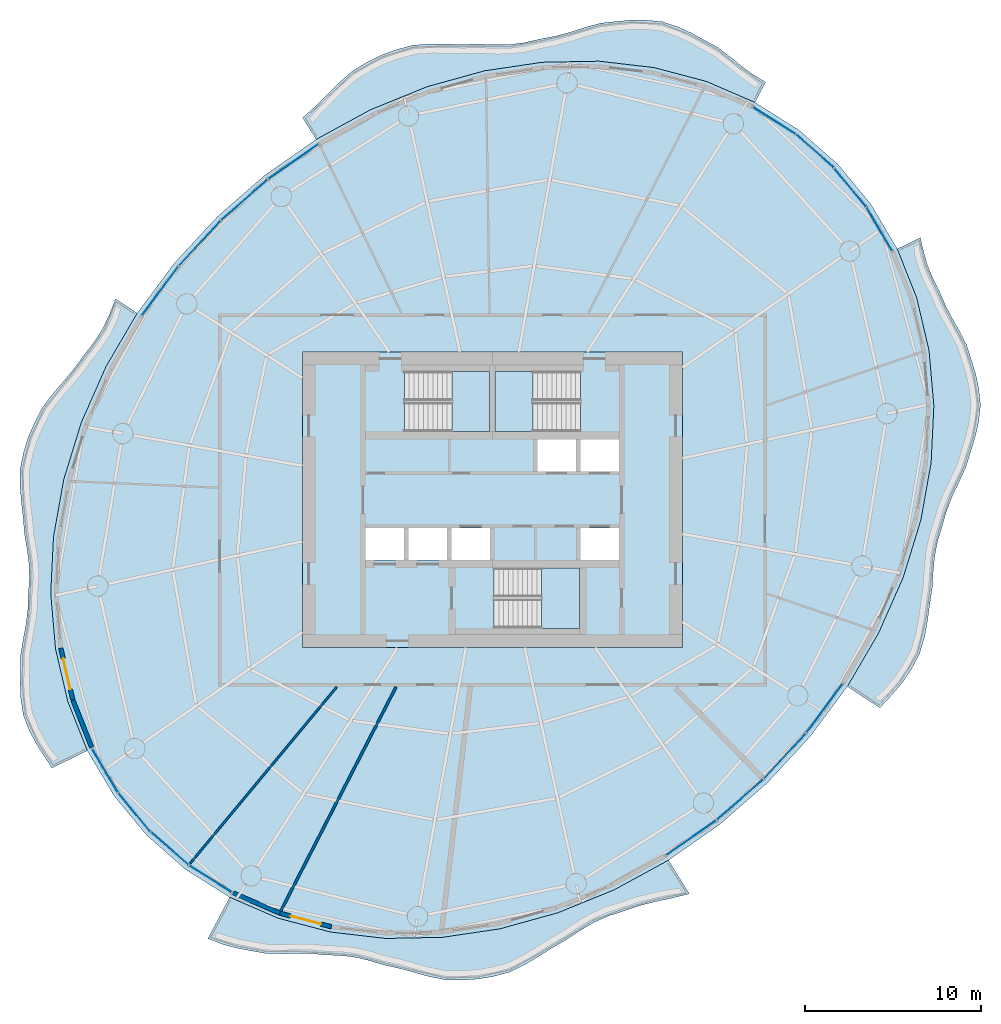
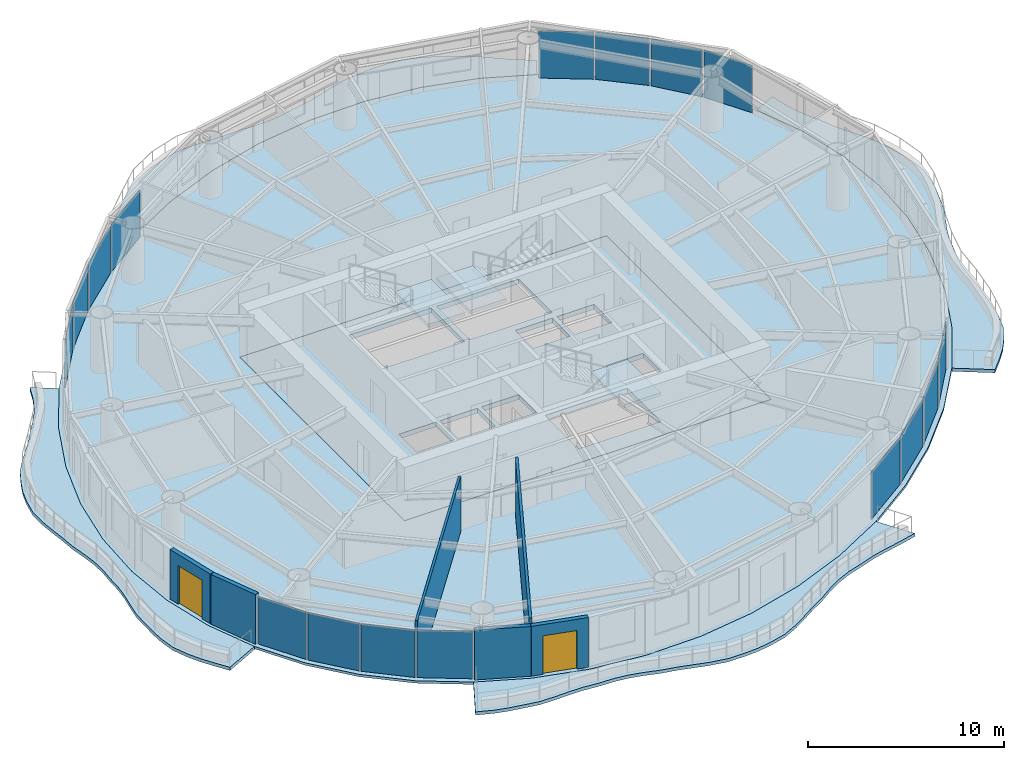
# One storey, part 7 of 14: 16 plates, 9 slabs, 6 walls, 2 doors, 2 openings, 19 elements without a shape of their own.
"""IFC4 building model written with IfcOpenShell, lengths in metres."""

from ifc_helpers import new_model, si_unit, direction, frame, frame_2d, origin, origin_2d, place, context, subcontext, project, spatial, polyline, rectangle, outline, extrude, material, layer, layer_set, type_object, element, fill, aggregate, save


model = new_model("IFC4")

# Units and contexts
model_context = context("Model", 3, precision=1e-05, world=origin(), true_north=direction((0.0, 1.0)))
body_context = subcontext(model_context, "Body", "Model", "MODEL_VIEW")
ifc_project = project(units=[si_unit("LENGTHUNIT", "METRE"), si_unit("AREAUNIT", "SQUARE_METRE"), si_unit("VOLUMEUNIT", "CUBIC_METRE"), si_unit("PLANEANGLEUNIT", "RADIAN"), si_unit("MASSUNIT", "GRAM", prefix="KILO")], contexts=[model_context])

# Site, building, storey
site_placement = place(None, origin())
site = spatial("IfcSite", under=ifc_project, at=site_placement, CompositionType="ELEMENT")
building_placement = place(site_placement, origin())
building = spatial("IfcBuilding", under=site, at=building_placement, Name="Vermilion Reach Broadcast Tower", CompositionType="ELEMENT")
storey_placement = place(building_placement, frame((0.0, 0.0, 210.10009765625)))
storey = spatial("IfcBuildingStorey", under=building, at=storey_placement, Name="L51", CompositionType="ELEMENT", Elevation=210.10009765625)

# Slabs
ifc_material_1 = material(Name="Concrete C40/50", Category="concrete")
ifc_layer_1 = layer(ifc_material_1, 0.199951171875)
ifc_layer_set_1 = layer_set([ifc_layer_1], Name="Balcony slab 200")
slab_type_1 = type_object("IfcSlabType", Name="Balcony slab 200", PredefinedType="FLOOR", material=ifc_layer_set_1)
placement_1 = place(storey_placement, frame((0.0, 0.0, -0.2001953125)))
element("IfcSlab", 1, at=placement_1, inside=storey, type_object=slab_type_1, Name="Balcony slab L51 group 1", PredefinedType="FLOOR", context=body_context, shape_type="SweptSolid", body=[
    extrude(outline(polyline([(8.925048828125, 22.5869140625), (6.16357421875, 23.7783203125), (3.19384765625, 24.56298828125), (0.06689453125, 24.927490234375), (-3.163818359375, 24.865234375), (-6.443115234375, 24.377685546875), (-9.71484375, 23.472900390625), (-12.9228515625, 22.16650390625), (-16.0126953125, 20.48095703125), (-16.7783203125, 21.718017578125), (-16.04150390625, 22.371337890625), (-15.394287109375, 23.021728515625), (-14.747802734375, 23.67431640625), (-13.964111328125, 24.36083984375), (-13.09423828125, 24.883544921875), (-12.317626953125, 25.2724609375), (-11.503662109375, 25.570068359375), (-10.519287109375, 25.83544921875), (-9.50830078125, 25.910400390625), (-8.62548828125, 25.901611328125), (-7.73876953125, 25.879638671875), (-6.76611328125, 25.9033203125), (-5.82568359375, 25.86181640625), (-4.990478515625, 25.87939453125), (-4.16796875, 25.98388671875), (-3.274658203125, 26.18994140625), (-2.384521484375, 26.35546875), (-1.580810546875, 26.57763671875), (-0.777587890625, 26.832763671875), (0.171875, 27.09423828125), (1.123779296875, 27.19677734375), (1.92431640625, 27.2666015625), (2.716796875, 27.26806640625), (3.6875, 27.1689453125), (4.595458984375, 26.86181640625), (5.303466796875, 26.53515625), (5.997314453125, 26.155029296875), (6.8291015625, 25.70361328125), (7.568115234375, 25.135986328125), (8.17431640625, 24.642822265625), (8.795654296875, 24.184814453125), (9.531982421875, 23.739501953125), (8.925048828125, 22.5869140625)])), origin(), (0.0, 0.0, 1.0), 0.2001953125),
])
element("IfcSlab", 2, at=placement_1, inside=storey, type_object=slab_type_1, Name="Balcony slab L51 group 2", PredefinedType="FLOOR", context=body_context, shape_type="SweptSolid", body=[
    extrude(outline(polyline([(-26.178466796875, 10.608642578125), (-27.9541015625, 7.56982421875), (-29.353759765625, 4.4013671875), (-30.35400390625, 1.157470703125), (-30.937744140625, -2.10595703125), (-31.094482421875, -5.33349609375), (-30.822021484375, -8.469970703125), (-30.124755859375, -11.461181640625), (-29.014892578125, -14.256591796875), (-31.02880859375, -15.24267578125), (-31.54736328125, -14.453125), (-31.954833984375, -13.805908203125), (-32.30126953125, -13.134521484375), (-32.65185546875, -12.252685546875), (-32.79736328125, -11.295654296875), (-32.83154296875, -10.51513671875), (-32.814697265625, -9.72265625), (-32.80029296875, -8.78466796875), (-32.6435546875, -7.838134765625), (-32.496826171875, -7.035400390625), (-32.397216796875, -6.23681640625), (-32.371826171875, -5.35791015625), (-32.306396484375, -4.4658203125), (-32.3310546875, -3.656005859375), (-32.433349609375, -2.842041015625), (-32.5908203125, -1.9189453125), (-32.66650390625, -0.954833984375), (-32.766845703125, -0.094970703125), (-32.841064453125, 0.76025390625), (-32.83349609375, 1.759033203125), (-32.62548828125, 2.74609375), (-32.374267578125, 3.556640625), (-32.0341796875, 4.33984375), (-31.576171875, 5.231689453125), (-30.953857421875, 6.054931640625), (-30.364013671875, 6.740966796875), (-29.78466796875, 7.431884765625), (-29.215576171875, 8.21435546875), (-28.619384765625, 8.9775390625), (-28.14697265625, 9.720703125), (-27.762451171875, 10.514892578125), (-27.416015625, 11.42578125), (-26.178466796875, 10.608642578125)])), origin(), (0.0, 0.0, 1.0), 0.2001953125),
])
element("IfcSlab", 3, at=placement_1, inside=storey, type_object=slab_type_1, Name="Balcony slab L51 group 3", PredefinedType="FLOOR", context=body_context, shape_type="SweptSolid", body=[
    extrude(outline(polyline([(-20.925048828125, -22.5869140625), (-18.16357421875, -23.7783203125), (-15.19384765625, -24.56298828125), (-12.06689453125, -24.927490234375), (-8.836181640625, -24.865234375), (-5.556884765625, -24.377685546875), (-2.28515625, -23.472900390625), (0.9228515625, -22.16650390625), (4.0126953125, -20.48095703125), (5.1943359375, -22.39013671875), (4.189697265625, -22.642578125), (3.29052734375, -22.83203125), (2.40771484375, -23.051025390625), (1.49169921875, -23.364990234375), (0.59326171875, -23.6533203125), (-0.19873046875, -24.004638671875), (-0.955078125, -24.443359375), (-1.768798828125, -24.9892578125), (-2.612060546875, -25.474609375), (-3.361328125, -25.94921875), (-4.1162109375, -26.404052734375), (-5.033447265625, -26.849365234375), (-5.990234375, -27.0986328125), (-6.807373046875, -27.238525390625), (-7.637939453125, -27.289306640625), (-8.634033203125, -27.282958984375), (-9.601318359375, -27.093994140625), (-10.41357421875, -26.869384765625), (-11.22607421875, -26.64208984375), (-12.140380859375, -26.443603515625), (-13.005615234375, -26.1826171875), (-13.77685546875, -26.00244140625), (-14.5576171875, -25.901611328125), (-15.44140625, -25.870361328125), (-16.31103515625, -25.78515625), (-17.102783203125, -25.77587890625), (-17.90283203125, -25.798095703125), (-18.857666015625, -25.786376953125), (-19.7763671875, -25.61865234375), (-20.533935546875, -25.4765625), (-21.268310546875, -25.280517578125), (-22.163330078125, -24.938720703125), (-20.925048828125, -22.5869140625)])), origin(), (0.0, 0.0, 1.0), 0.2001953125),
])
element("IfcSlab", 4, at=placement_1, inside=storey, type_object=slab_type_1, Name="Balcony slab L51 group 4", PredefinedType="FLOOR", context=body_context, shape_type="SweptSolid", body=[
    extrude(outline(polyline([(14.178466796875, -10.608642578125), (15.9541015625, -7.56982421875), (17.353759765625, -4.4013671875), (18.35400390625, -1.157470703125), (18.937744140625, 2.10595703125), (19.094482421875, 5.33349609375), (18.822021484375, 8.469970703125), (18.124755859375, 11.461181640625), (17.014892578125, 14.256591796875), (18.327880859375, 14.8994140625), (18.5224609375, 14.046142578125), (18.7373046875, 13.322509765625), (19.021240234375, 12.626220703125), (19.41015625, 11.86376953125), (19.751708984375, 11.052001953125), (20.120361328125, 10.349365234375), (20.516845703125, 9.6533203125), (20.95166015625, 8.808837890625), (21.246337890625, 7.890625), (21.479248046875, 7.120849609375), (21.644775390625, 6.34521484375), (21.7470703125, 5.384033203125), (21.633544921875, 4.4013671875), (21.451416015625, 3.6015625), (21.209228515625, 2.804443359375), (20.92578125, 1.880859375), (20.51123046875, 0.982666015625), (20.14501953125, 0.206298828125), (19.8330078125, -0.580078125), (19.58349609375, -1.455810546875), (19.309326171875, -2.340087890625), (19.14697265625, -3.17822265625), (19.06201171875, -4.0400390625), (19.001708984375, -5.01708984375), (18.849609375, -6.0087890625), (18.73046875, -6.903076171875), (18.56982421875, -7.77880859375), (18.28173828125, -8.75927734375), (17.797607421875, -9.666015625), (17.300048828125, -10.394287109375), (16.72216796875, -11.07568359375), (16.022705078125, -11.826416015625), (14.178466796875, -10.608642578125)])), origin(), (0.0, 0.0, 1.0), 0.2001953125),
])
ifc_material_2 = material(Name="Concrete C40", Category="concrete")
ifc_layer_2 = layer(ifc_material_2, 0.300048828125)
ifc_layer_set_2 = layer_set([ifc_layer_2], Name="Core floor slab 300 mm Concrete C40")
slab_type_2 = type_object("IfcSlabType", Name="Core floor slab 300 mm Concrete C40", PredefinedType="FLOOR", material=ifc_layer_set_2)
slab_5_placement = place(storey_placement, frame((0.0, 0.0, -0.300048828125)))
element("IfcSlab", 5, at=slab_5_placement, inside=storey, type_object=slab_type_2, Name="L51 core floor", PredefinedType="FLOOR", context=body_context, shape_type="SweptSolid", body=[
    extrude(outline(polyline([(-16.800048828125, -8.39990234375), (4.800048828125, -8.39990234375), (4.800048828125, 8.39990234375), (-16.800048828125, 8.39990234375), (-16.800048828125, -8.39990234375)]), holes=[polyline([(-3.433349609375, 1.60009765625), (-1.24169921875, 1.60009765625), (-1.24169921875, 3.429931640625), (-3.433349609375, 3.429931640625), (-3.433349609375, 1.60009765625)]), polyline([(-0.99169921875, 1.60009765625), (1.199951171875, 1.60009765625), (1.199951171875, 3.429931640625), (-0.99169921875, 3.429931640625), (-0.99169921875, 1.60009765625)]), polyline([(-13.199951171875, -3.429931640625), (-11.00830078125, -3.429931640625), (-11.00830078125, -1.60009765625), (-13.199951171875, -1.60009765625), (-13.199951171875, -3.429931640625)]), polyline([(-10.75830078125, -3.429931640625), (-8.566650390625, -3.429931640625), (-8.566650390625, -1.60009765625), (-10.75830078125, -1.60009765625), (-10.75830078125, -3.429931640625)]), polyline([(-8.316650390625, -3.429931640625), (-6.125, -3.429931640625), (-6.125, -1.60009765625), (-8.316650390625, -1.60009765625), (-8.316650390625, -3.429931640625)]), polyline([(-0.99169921875, -3.429931640625), (1.199951171875, -3.429931640625), (1.199951171875, -1.60009765625), (-0.99169921875, -1.60009765625), (-0.99169921875, -3.429931640625)]), polyline([(-10.999267578125, 3.8798828125), (-6.14990234375, 3.8798828125), (-6.14990234375, 7.300048828125), (-10.999267578125, 7.300048828125), (-10.999267578125, 3.8798828125)]), polyline([(-1.000732421875, 7.300048828125), (-5.85009765625, 7.300048828125), (-5.85009765625, 3.8798828125), (-1.000732421875, 3.8798828125), (-1.000732421875, 7.300048828125)]), polyline([(-5.8994140625, -7.300048828125), (-1.050048828125, -7.300048828125), (-1.050048828125, -3.8798828125), (-5.8994140625, -3.8798828125), (-5.8994140625, -7.300048828125)])]), origin(), (0.0, 0.0, 1.0), 0.300048828125),
])

# Stair, slab
ifc_material_3 = material(Name="Concrete C40", Category="concrete")
stair_type = type_object("IfcStairType", Name="Exit stair RC 22 risers 164 mm", PredefinedType="HALF_TURN_STAIR", material=ifc_material_3)
placement_2 = place(storey_placement, origin())
stair_1 = element("IfcStair", 6, at=placement_2, inside=storey, type_object=stair_type, Name="L51 Exit stair ST1", PredefinedType="HALF_TURN_STAIR")
ifc_material_4 = material(Name="Concrete C40", Category="concrete")
ifc_layer_3 = layer(ifc_material_4, 0.199951171875)
ifc_layer_set_3 = layer_set([ifc_layer_3], Name="Exit stair landing Concrete C40")
slab_type_3 = type_object("IfcSlabType", Name="Exit stair landing Concrete C40", PredefinedType="LANDING", material=ifc_layer_set_3)
placement_3 = place(storey_placement, frame((0.0, 0.0, 1.599853515625)))
slab_6 = element("IfcSlab", 7, at=placement_3, type_object=slab_type_3, Name="ST1 landing 1", PredefinedType="LANDING", context=body_context, shape_type="SweptSolid", body=[
    extrude(outline(polyline([(-8.300048828125, 3.8798828125), (-6.14990234375, 3.8798828125), (-6.14990234375, 7.300048828125), (-8.300048828125, 7.300048828125), (-8.300048828125, 3.8798828125)])), origin(), (0.0, 0.0, 1.0), 0.199951171875),
])
aggregate(stair_1, [slab_6])

stair_2 = element("IfcStair", 8, at=placement_2, inside=storey, type_object=stair_type, Name="L51 Exit stair ST2", PredefinedType="HALF_TURN_STAIR")
slab_7 = element("IfcSlab", 9, at=placement_3, type_object=slab_type_3, Name="ST2 landing 1", PredefinedType="LANDING", context=body_context, shape_type="SweptSolid", body=[
    extrude(outline(polyline([(-3.699951171875, 7.300048828125), (-5.85009765625, 7.300048828125), (-5.85009765625, 3.8798828125), (-3.699951171875, 3.8798828125), (-3.699951171875, 7.300048828125)])), origin(), (0.0, 0.0, 1.0), 0.199951171875),
])
aggregate(stair_2, [slab_7])

stair_3 = element("IfcStair", 10, at=placement_2, inside=storey, type_object=stair_type, Name="L51 Exit stair ST3", PredefinedType="HALF_TURN_STAIR")
slab_8 = element("IfcSlab", 11, at=placement_3, type_object=slab_type_3, Name="ST3 landing 1", PredefinedType="LANDING", context=body_context, shape_type="SweptSolid", body=[
    extrude(outline(polyline([(-3.199951171875, -7.300048828125), (-1.050048828125, -7.300048828125), (-1.050048828125, -3.8798828125), (-3.199951171875, -3.8798828125), (-3.199951171875, -7.300048828125)])), origin(), (0.0, 0.0, 1.0), 0.199951171875),
])
aggregate(stair_3, [slab_8])

# Slab
ifc_material_5 = material(Name="Concrete C40", Category="concrete")
ifc_layer_4 = layer(ifc_material_5, 0.14990234375)
ifc_layer_set_4 = layer_set([ifc_layer_4], Name="Floor slab Concrete C40 composite 150")
slab_type_4 = type_object("IfcSlabType", Name="Floor slab Concrete C40 composite 150", PredefinedType="FLOOR", material=ifc_layer_set_4)
slab_9_placement = place(storey_placement, frame((0.0, 0.0, -0.150146484375)))
element("IfcSlab", 12, at=slab_9_placement, inside=storey, type_object=slab_type_4, Name="Floor slab L51", PredefinedType="FLOOR", context=body_context, shape_type="SweptSolid", body=[
    extrude(outline(polyline([(13.63916015625, 19.071533203125), (11.43115234375, 21.009033203125), (8.925048828125, 22.5869140625), (6.16357421875, 23.7783203125), (3.19384765625, 24.56298828125), (0.06689453125, 24.927490234375), (-3.163818359375, 24.865234375), (-6.443115234375, 24.377685546875), (-9.71484375, 23.472900390625), (-12.9228515625, 22.16650390625), (-16.0126953125, 20.48095703125), (-18.930908203125, 18.44482421875), (-21.628173828125, 16.09326171875), (-24.057861328125, 13.466064453125), (-26.178466796875, 10.608642578125), (-27.9541015625, 7.56982421875), (-29.353759765625, 4.4013671875), (-30.35400390625, 1.157470703125), (-30.937744140625, -2.10595703125), (-31.094482421875, -5.33349609375), (-30.822021484375, -8.469970703125), (-30.124755859375, -11.461181640625), (-29.014892578125, -14.256591796875), (-27.510986328125, -16.807861328125), (-25.63916015625, -19.071533203125), (-23.43115234375, -21.009033203125), (-20.925048828125, -22.5869140625), (-18.16357421875, -23.7783203125), (-15.19384765625, -24.56298828125), (-12.06689453125, -24.927490234375), (-8.836181640625, -24.865234375), (-5.556884765625, -24.377685546875), (-2.28515625, -23.472900390625), (0.9228515625, -22.16650390625), (4.0126953125, -20.48095703125), (6.930908203125, -18.44482421875), (9.628173828125, -16.09326171875), (12.057861328125, -13.466064453125), (14.178466796875, -10.608642578125), (15.9541015625, -7.56982421875), (17.353759765625, -4.4013671875), (18.35400390625, -1.157470703125), (18.937744140625, 2.10595703125), (19.094482421875, 5.33349609375), (18.822021484375, 8.469970703125), (18.124755859375, 11.461181640625), (17.014892578125, 14.256591796875), (15.510986328125, 16.807861328125), (13.63916015625, 19.071533203125)]), holes=[polyline([(-16.800048828125, -8.39990234375), (4.800048828125, -8.39990234375), (4.800048828125, 8.39990234375), (-16.800048828125, 8.39990234375), (-16.800048828125, -8.39990234375)])]), origin(), (0.0, 0.0, 1.0), 0.150146484375),
])

# Curtain wall, plate
ifc_material_6 = material(Name="Low-e laminated clear glass in aluminium frame", Category="aluminium")
curtain_wall_type = type_object("IfcCurtainWallType", Name="Slot curtain wall", PredefinedType="NOTDEFINED", material=ifc_material_6)
curtain_wall_1 = element("IfcCurtainWall", 13, at=placement_2, inside=storey, type_object=curtain_wall_type, Name="Slot curtain wall L51 46", PredefinedType="NOTDEFINED")
ifc_material_7 = material(Name="Low-e laminated clear glass", Category="glass")
ifc_layer_5 = layer(ifc_material_7, 0.028076171875)
ifc_layer_set_5 = layer_set([ifc_layer_5], Name="Slot glass panel")
plate_type = type_object("IfcPlateType", Name="Slot glass panel", PredefinedType="CURTAIN_PANEL", material=ifc_layer_set_5)
plate_1_placement = place(storey_placement, frame((16.00537109375, 15.380126953125, 0.0), z_axis=(0.0, 0.0, 1.0), x_axis=(-0.507770998293, 0.86149208545, 0.0)))
plate_1 = element("IfcPlate", 14, at=plate_1_placement, type_object=plate_type, Name="Slot glass panel L51 46", PredefinedType="CURTAIN_PANEL", context=body_context, shape_type="SweptSolid", body=[
    extrude(rectangle(XDim=2.83447265625, YDim=0.028076171875, at=origin_2d()), origin(), (0.0, 0.0, 1.0), 2.949951171875),
])
aggregate(curtain_wall_1, [plate_1])

curtain_wall_2 = element("IfcCurtainWall", 15, at=placement_2, inside=storey, type_object=curtain_wall_type, Name="Slot curtain wall L51 47", PredefinedType="NOTDEFINED")
plate_2_placement = place(storey_placement, frame((14.3447265625, 17.7490234375, 0.0), z_axis=(0.0, 0.0, 1.0), x_axis=(-0.63724572814, 0.770660678877, 0.0)))
plate_2 = element("IfcPlate", 16, at=plate_2_placement, type_object=plate_type, Name="Slot glass panel L51 47", PredefinedType="CURTAIN_PANEL", context=body_context, shape_type="SweptSolid", body=[
    extrude(rectangle(XDim=2.8095703125, YDim=0.028076171875, at=origin_2d()), origin(), (0.0, 0.0, 1.0), 2.949951171875),
])
aggregate(curtain_wall_2, [plate_2])

curtain_wall_3 = element("IfcCurtainWall", 17, at=placement_2, inside=storey, type_object=curtain_wall_type, Name="Slot curtain wall L51 00", PredefinedType="NOTDEFINED")
plate_3_placement = place(storey_placement, frame((12.337890625, 19.8154296875, 0.0), z_axis=(0.0, 0.0, 1.0), x_axis=(-0.75164704321, 0.659565555827, 0.0)))
plate_3 = element("IfcPlate", 18, at=plate_3_placement, type_object=plate_type, Name="Slot glass panel L51 00", PredefinedType="CURTAIN_PANEL", context=body_context, shape_type="SweptSolid", body=[
    extrude(rectangle(XDim=2.8095703125, YDim=0.028076171875, at=origin_2d()), origin(), (0.0, 0.0, 1.0), 2.949951171875),
])
aggregate(curtain_wall_3, [plate_3])

curtain_wall_4 = element("IfcCurtainWall", 19, at=placement_2, inside=storey, type_object=curtain_wall_type, Name="Slot curtain wall L51 01", PredefinedType="NOTDEFINED")
plate_4_placement = place(storey_placement, frame((10.018798828125, 21.544921875, 0.0), z_axis=(0.0, 0.0, 1.0), x_axis=(-0.846235361121, 0.532809265674, 0.0)))
plate_4 = element("IfcPlate", 20, at=plate_4_placement, type_object=plate_type, Name="Slot glass panel L51 01", PredefinedType="CURTAIN_PANEL", context=body_context, shape_type="SweptSolid", body=[
    extrude(rectangle(XDim=2.83447265625, YDim=0.028076171875, at=origin_2d()), origin(), (0.0, 0.0, 1.0), 2.949951171875),
])
aggregate(curtain_wall_4, [plate_4])

curtain_wall_5 = element("IfcCurtainWall", 21, at=placement_2, inside=storey, type_object=curtain_wall_type, Name="Slot curtain wall L51 10", PredefinedType="NOTDEFINED")
plate_5_placement = place(storey_placement, frame((-17.300537109375, 19.217041015625, 0.0), z_axis=(0.0, 0.0, 1.0), x_axis=(-0.820127266916, -0.572181147942, 0.0)))
plate_5 = element("IfcPlate", 22, at=plate_5_placement, type_object=plate_type, Name="Slot glass panel L51 10", PredefinedType="CURTAIN_PANEL", context=body_context, shape_type="SweptSolid", body=[
    extrude(rectangle(XDim=3.44580078125, YDim=0.028076171875, at=origin_2d()), origin(), (0.0, 0.0, 1.0), 2.949951171875),
])
aggregate(curtain_wall_5, [plate_5])

curtain_wall_6 = element("IfcCurtainWall", 23, at=placement_2, inside=storey, type_object=curtain_wall_type, Name="Slot curtain wall L51 11", PredefinedType="NOTDEFINED")
plate_6_placement = place(storey_placement, frame((-20.082763671875, 17.043212890625, 0.0), z_axis=(0.0, 0.0, 1.0), x_axis=(-0.753727697022, -0.657186852228, 0.0)))
plate_6 = element("IfcPlate", 24, at=plate_6_placement, type_object=plate_type, Name="Slot glass panel L51 11", PredefinedType="CURTAIN_PANEL", context=body_context, shape_type="SweptSolid", body=[
    extrude(rectangle(XDim=3.466064453125, YDim=0.028076171875, at=origin_2d()), origin(), (0.0, 0.0, 1.0), 2.949951171875),
])
aggregate(curtain_wall_6, [plate_6])

curtain_wall_7 = element("IfcCurtainWall", 25, at=placement_2, inside=storey, type_object=curtain_wall_type, Name="Slot curtain wall L51 12", PredefinedType="NOTDEFINED")
plate_7_placement = place(storey_placement, frame((-22.623046875, 14.576171875, 0.0), z_axis=(0.0, 0.0, 1.0), x_axis=(-0.679001686214, -0.734136710782, 0.0)))
plate_7 = element("IfcPlate", 26, at=plate_7_placement, type_object=plate_type, Name="Slot glass panel L51 12", PredefinedType="CURTAIN_PANEL", context=body_context, shape_type="SweptSolid", body=[
    extrude(rectangle(XDim=3.466064453125, YDim=0.028076171875, at=origin_2d()), origin(), (0.0, 0.0, 1.0), 2.949951171875),
])
aggregate(curtain_wall_7, [plate_7])

curtain_wall_8 = element("IfcCurtainWall", 27, at=placement_2, inside=storey, type_object=curtain_wall_type, Name="Slot curtain wall L51 13", PredefinedType="NOTDEFINED")
plate_8_placement = place(storey_placement, frame((-24.877685546875, 11.85888671875, 0.0), z_axis=(0.0, 0.0, 1.0), x_axis=(-0.595979023603, -0.803000002133, 0.0)))
plate_8 = element("IfcPlate", 28, at=plate_8_placement, type_object=plate_type, Name="Slot glass panel L51 13", PredefinedType="CURTAIN_PANEL", context=body_context, shape_type="SweptSolid", body=[
    extrude(rectangle(XDim=3.44580078125, YDim=0.028076171875, at=origin_2d()), origin(), (0.0, 0.0, 1.0), 2.949951171875),
])
aggregate(curtain_wall_8, [plate_8])

curtain_wall_9 = element("IfcCurtainWall", 29, at=placement_2, inside=storey, type_object=curtain_wall_type, Name="Slot curtain wall L51 22", PredefinedType="NOTDEFINED")
plate_9_placement = place(storey_placement, frame((-28.00537109375, -15.380126953125, 0.0), z_axis=(0.0, 0.0, 1.0), x_axis=(0.507770998293, -0.86149208545, 0.0)))
plate_9 = element("IfcPlate", 30, at=plate_9_placement, type_object=plate_type, Name="Slot glass panel L51 22", PredefinedType="CURTAIN_PANEL", context=body_context, shape_type="SweptSolid", body=[
    extrude(rectangle(XDim=2.83447265625, YDim=0.028076171875, at=origin_2d()), origin(), (0.0, 0.0, 1.0), 2.949951171875),
])
aggregate(curtain_wall_9, [plate_9])

curtain_wall_10 = element("IfcCurtainWall", 31, at=placement_2, inside=storey, type_object=curtain_wall_type, Name="Slot curtain wall L51 23", PredefinedType="NOTDEFINED")
plate_10_placement = place(storey_placement, frame((-26.3447265625, -17.7490234375, 0.0), z_axis=(0.0, 0.0, 1.0), x_axis=(0.63724572814, -0.770660678877, 0.0)))
plate_10 = element("IfcPlate", 32, at=plate_10_placement, type_object=plate_type, Name="Slot glass panel L51 23", PredefinedType="CURTAIN_PANEL", context=body_context, shape_type="SweptSolid", body=[
    extrude(rectangle(XDim=2.8095703125, YDim=0.028076171875, at=origin_2d()), origin(), (0.0, 0.0, 1.0), 2.949951171875),
])
aggregate(curtain_wall_10, [plate_10])

curtain_wall_11 = element("IfcCurtainWall", 33, at=placement_2, inside=storey, type_object=curtain_wall_type, Name="Slot curtain wall L51 24", PredefinedType="NOTDEFINED")
plate_11_placement = place(storey_placement, frame((-24.337890625, -19.8154296875, 0.0), z_axis=(0.0, 0.0, 1.0), x_axis=(0.75164704321, -0.659565555827, 0.0)))
plate_11 = element("IfcPlate", 34, at=plate_11_placement, type_object=plate_type, Name="Slot glass panel L51 24", PredefinedType="CURTAIN_PANEL", context=body_context, shape_type="SweptSolid", body=[
    extrude(rectangle(XDim=2.8095703125, YDim=0.028076171875, at=origin_2d()), origin(), (0.0, 0.0, 1.0), 2.949951171875),
])
aggregate(curtain_wall_11, [plate_11])

curtain_wall_12 = element("IfcCurtainWall", 35, at=placement_2, inside=storey, type_object=curtain_wall_type, Name="Slot curtain wall L51 25", PredefinedType="NOTDEFINED")
plate_12_placement = place(storey_placement, frame((-22.018798828125, -21.544921875, 0.0), z_axis=(0.0, 0.0, 1.0), x_axis=(0.846235361121, -0.532809265674, 0.0)))
plate_12 = element("IfcPlate", 36, at=plate_12_placement, type_object=plate_type, Name="Slot glass panel L51 25", PredefinedType="CURTAIN_PANEL", context=body_context, shape_type="SweptSolid", body=[
    extrude(rectangle(XDim=2.83447265625, YDim=0.028076171875, at=origin_2d()), origin(), (0.0, 0.0, 1.0), 2.949951171875),
])
aggregate(curtain_wall_12, [plate_12])

curtain_wall_13 = element("IfcCurtainWall", 37, at=placement_2, inside=storey, type_object=curtain_wall_type, Name="Slot curtain wall L51 34", PredefinedType="NOTDEFINED")
plate_13_placement = place(storey_placement, frame((5.300537109375, -19.217041015625, 0.0), z_axis=(0.0, 0.0, 1.0), x_axis=(0.820127266916, 0.572181147942, 0.0)))
plate_13 = element("IfcPlate", 38, at=plate_13_placement, type_object=plate_type, Name="Slot glass panel L51 34", PredefinedType="CURTAIN_PANEL", context=body_context, shape_type="SweptSolid", body=[
    extrude(rectangle(XDim=3.44580078125, YDim=0.028076171875, at=origin_2d()), origin(), (0.0, 0.0, 1.0), 2.949951171875),
])
aggregate(curtain_wall_13, [plate_13])

curtain_wall_14 = element("IfcCurtainWall", 39, at=placement_2, inside=storey, type_object=curtain_wall_type, Name="Slot curtain wall L51 35", PredefinedType="NOTDEFINED")
plate_14_placement = place(storey_placement, frame((8.082763671875, -17.043212890625, 0.0), z_axis=(0.0, 0.0, 1.0), x_axis=(0.753727697022, 0.657186852228, 0.0)))
plate_14 = element("IfcPlate", 40, at=plate_14_placement, type_object=plate_type, Name="Slot glass panel L51 35", PredefinedType="CURTAIN_PANEL", context=body_context, shape_type="SweptSolid", body=[
    extrude(rectangle(XDim=3.466064453125, YDim=0.028076171875, at=origin_2d()), origin(), (0.0, 0.0, 1.0), 2.949951171875),
])
aggregate(curtain_wall_14, [plate_14])

curtain_wall_15 = element("IfcCurtainWall", 41, at=placement_2, inside=storey, type_object=curtain_wall_type, Name="Slot curtain wall L51 36", PredefinedType="NOTDEFINED")
plate_15_placement = place(storey_placement, frame((10.623046875, -14.576171875, 0.0), z_axis=(0.0, 0.0, 1.0), x_axis=(0.679001686214, 0.734136710782, 0.0)))
plate_15 = element("IfcPlate", 42, at=plate_15_placement, type_object=plate_type, Name="Slot glass panel L51 36", PredefinedType="CURTAIN_PANEL", context=body_context, shape_type="SweptSolid", body=[
    extrude(rectangle(XDim=3.466064453125, YDim=0.028076171875, at=origin_2d()), origin(), (0.0, 0.0, 1.0), 2.949951171875),
])
aggregate(curtain_wall_15, [plate_15])

curtain_wall_16 = element("IfcCurtainWall", 43, at=placement_2, inside=storey, type_object=curtain_wall_type, Name="Slot curtain wall L51 37", PredefinedType="NOTDEFINED")
plate_16_placement = place(storey_placement, frame((12.877685546875, -11.85888671875, 0.0), z_axis=(0.0, 0.0, 1.0), x_axis=(0.595979023603, 0.803000002133, 0.0)))
plate_16 = element("IfcPlate", 44, at=plate_16_placement, type_object=plate_type, Name="Slot glass panel L51 37", PredefinedType="CURTAIN_PANEL", context=body_context, shape_type="SweptSolid", body=[
    extrude(rectangle(XDim=3.44580078125, YDim=0.028076171875, at=origin_2d()), origin(), (0.0, 0.0, 1.0), 2.949951171875),
])
aggregate(curtain_wall_16, [plate_16])

# Walls
ifc_material_8 = material(Name="Fire-rated plasterboard on steel stud", Category="steel")
ifc_layer_6 = layer(ifc_material_8, 0.125)
ifc_layer_set_6 = layer_set([ifc_layer_6], Name="Partition 125 fire-rated stud")
wall_type_1 = type_object("IfcWallType", Name="Partition 125 fire-rated stud", PredefinedType="PARTITIONING", material=ifc_layer_set_6)
wall_1_placement = place(storey_placement, frame((-23.17724609375, -20.668212890625, 0.0), z_axis=(0.0, 0.0, 1.0), x_axis=(0.639167269964, 0.769067747995, 0.0)))
element("IfcWall", 45, at=wall_1_placement, inside=storey, type_object=wall_type_1, Name="Partition 51.05", PredefinedType="PARTITIONING", context=body_context, shape_type="SweptSolid", body=[
    extrude(rectangle(XDim=13.03955078125, YDim=0.125, at=frame_2d((6.519775390625, 0.0))), origin(), (0.0, 0.0, 1.0), 3.449951171875),
])
ifc_material_9 = material(Name="Lightweight concrete block, plastered", Category="concrete")
ifc_layer_7 = layer(ifc_material_9, 0.14990234375)
ifc_layer_set_7 = layer_set([ifc_layer_7], Name="Partition 150 lightweight block")
wall_type_2 = type_object("IfcWallType", Name="Partition 150 lightweight block", PredefinedType="PARTITIONING", material=ifc_layer_set_7)
wall_2_placement = place(storey_placement, frame((-18.025146484375, -23.376708984375, 0.0), z_axis=(0.0, 0.0, 1.0), x_axis=(0.457440787156, 0.88924008358, 0.0)))
element("IfcWall", 46, at=wall_2_placement, inside=storey, type_object=wall_type_2, Name="Partition 51.06", PredefinedType="PARTITIONING", context=body_context, shape_type="SweptSolid", body=[
    extrude(rectangle(XDim=14.32958984375, YDim=0.14990234375, at=frame_2d((7.164794921875, 0.0))), origin(), (0.0, 0.0, 1.0), 3.449951171875),
])

# Wall, opening, door
ifc_material_10 = material(Name="Terracotta rainscreen cladding", Category="masonry")
ifc_layer_8 = layer(ifc_material_10, 0.25)
ifc_layer_set_8 = layer_set([ifc_layer_8], Name="Terracotta rainscreen wall 250")
wall_type_3 = type_object("IfcWallType", Name="Terracotta rainscreen wall 250", PredefinedType="SOLIDWALL", material=ifc_layer_set_8)
wall_3_placement = place(storey_placement, frame((-30.522705078125, -8.435546875, 0.0), z_axis=(0.0, 0.0, 1.0), x_axis=(0.226926203239, -0.973911956125, 0.0)))
wall_3 = element("IfcWall", 47, at=wall_3_placement, inside=storey, type_object=wall_type_3, Name="External wall L51 20", PredefinedType="SOLIDWALL", context=body_context, shape_type="SweptSolid", body=[
    extrude(rectangle(XDim=3.001708984375, YDim=0.25, at=frame_2d((1.5009765625, 0.0))), origin(), (0.0, 0.0, 1.0), 3.099853515625),
])
opening_1_placement = place(wall_3_placement, frame((0.60107421875, 0.0, 0.0)))
opening_1 = element("IfcOpeningElement", 48, at=opening_1_placement, cuts=wall_3, Name="Opening D70", PredefinedType="OPENING", context=body_context, shape_type="SweptSolid", body=[
    extrude(rectangle(XDim=1.800048828125, YDim=2.39990234375, at=frame_2d((0.89990234375, 1.199951171875))), frame((0.0, 0.135009765625, 0.0), z_axis=(0.0, -1.0, 0.0), x_axis=(1.0, 0.0, 0.0)), (0.0, 0.0, 1.0), 0.27001953125),
])
ifc_material_11 = material(Name="Low-e laminated clear glass in aluminium frame", Category="aluminium")
door_type = type_object("IfcDoorType", Name="Balcony sliding door 1800 x 2400", OperationType="DOUBLE_DOOR_SLIDING", PredefinedType="DOOR", material=ifc_material_11)
door_1_placement = place(opening_1_placement, origin())
door_1 = element("IfcDoor", 49, at=door_1_placement, inside=storey, type_object=door_type, Name="Balcony door L51 run 05", OperationType="DOUBLE_DOOR_SLIDING", OverallHeight=2.39990234375, OverallWidth=1.800048828125, PredefinedType="DOOR", context=body_context, shape_type="SweptSolid", body=[
    extrude(rectangle(XDim=1.800048828125, YDim=2.39990234375, at=frame_2d((0.89990234375, 1.199951171875))), frame((0.0, 0.02490234375, 0.0), z_axis=(0.0, -1.0, 0.0), x_axis=(1.0, 0.0, 0.0)), (0.0, 0.0, 1.0), 0.050048828125),
])
fill(opening_1, door_1)

# Walls
for number, where, z_axis, x_axis, name in (
    (50, (-29.83349609375, -11.38427734375, 0.0), (0.0, 0.0, 1.0), (0.369061887555, -0.929404821999, 0.0), "External wall L51 21"),
    (51, (-20.73486328125, -22.34326171875, 0.0), (0.0, 0.0, 1.0), (0.918186540839, -0.396148300794, 0.0), "External wall L51 26"),
):
    element("IfcWall", number, at=place(storey_placement, frame(where, z_axis=z_axis, x_axis=x_axis)), inside=storey, type_object=wall_type_3, Name=name, PredefinedType="SOLIDWALL", context=body_context, shape_type="SweptSolid", body=[
        extrude(rectangle(XDim=2.8935546875, YDim=0.25, at=frame_2d((1.44677734375, 0.0))), origin(), (0.0, 0.0, 1.0), 3.099853515625),
    ])

# Wall, opening, door
wall_4_placement = place(storey_placement, frame((-18.052978515625, -23.498291015625, 0.0), z_axis=(0.0, 0.0, 1.0), x_axis=(0.966837064295, -0.255393991914, 0.0)))
wall_4 = element("IfcWall", 52, at=wall_4_placement, inside=storey, type_object=wall_type_3, Name="External wall L51 27", PredefinedType="SOLIDWALL", context=body_context, shape_type="SweptSolid", body=[
    extrude(rectangle(XDim=3.001708984375, YDim=0.25, at=frame_2d((1.5009765625, 0.0))), origin(), (0.0, 0.0, 1.0), 3.099853515625),
])
opening_2_placement = place(wall_4_placement, frame((0.60107421875, 0.0, 0.0)))
opening_2 = element("IfcOpeningElement", 53, at=opening_2_placement, cuts=wall_4, Name="Opening D70", PredefinedType="OPENING", context=body_context, shape_type="SweptSolid", body=[
    extrude(rectangle(XDim=1.800048828125, YDim=2.39990234375, at=frame_2d((0.89990234375, 1.199951171875))), frame((0.0, 0.135009765625, 0.0), z_axis=(0.0, -1.0, 0.0), x_axis=(1.0, 0.0, 0.0)), (0.0, 0.0, 1.0), 0.27001953125),
])
door_2_placement = place(opening_2_placement, origin())
door_2 = element("IfcDoor", 54, at=door_2_placement, inside=storey, type_object=door_type, Name="Balcony door L51 run 07", OperationType="DOUBLE_DOOR_SLIDING", OverallHeight=2.39990234375, OverallWidth=1.800048828125, PredefinedType="DOOR", context=body_context, shape_type="SweptSolid", body=[
    extrude(rectangle(XDim=1.800048828125, YDim=2.39990234375, at=frame_2d((0.89990234375, 1.199951171875))), frame((0.0, 0.02490234375, 0.0), z_axis=(0.0, -1.0, 0.0), x_axis=(1.0, 0.0, 0.0)), (0.0, 0.0, 1.0), 0.050048828125),
])
fill(opening_2, door_2)

save(model, "model.ifc")
